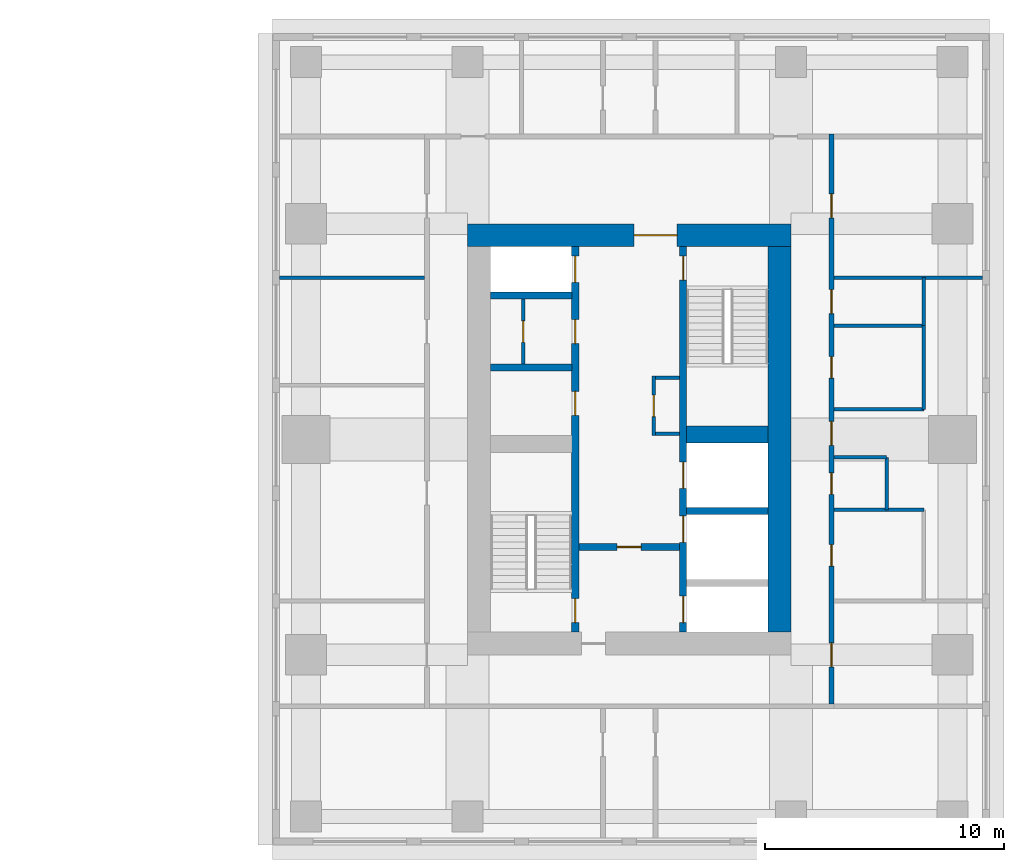
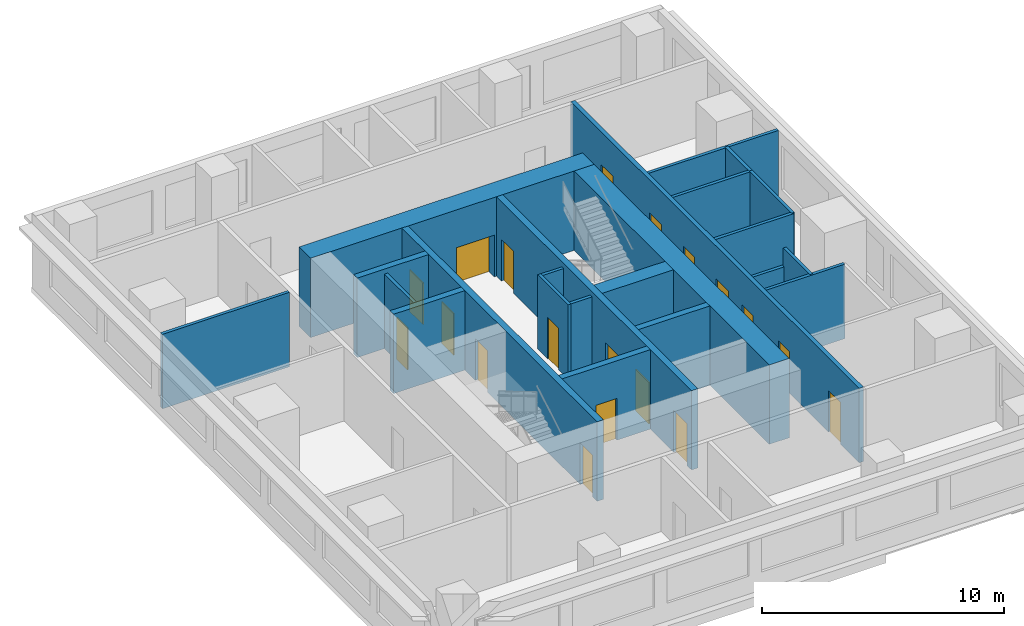
# One storey, part 7 of 11: 23 walls, 19 doors, 19 openings.
"""IFC4 building model written with IfcOpenShell, lengths in metres."""

from ifc_helpers import new_model, si_unit, direction, frame, frame_2d, origin, place, context, subcontext, project, spatial, rectangle, extrude, material, layer, layer_set, type_object, element, fill, save


model = new_model("IFC4")

# Units and contexts
model_context = context("Model", 3, precision=1e-05, world=origin(), true_north=direction((0.0, 1.0)))
body_context = subcontext(model_context, "Body", "Model", "MODEL_VIEW")
ifc_project = project(units=[si_unit("LENGTHUNIT", "METRE"), si_unit("AREAUNIT", "SQUARE_METRE"), si_unit("VOLUMEUNIT", "CUBIC_METRE"), si_unit("PLANEANGLEUNIT", "RADIAN"), si_unit("MASSUNIT", "GRAM", prefix="KILO")], contexts=[model_context])

# Site, building, storey
site_placement = place(None, origin())
site = spatial("IfcSite", under=ifc_project, at=site_placement, CompositionType="ELEMENT")
building_placement = place(site_placement, origin())
building = spatial("IfcBuilding", under=site, at=building_placement, Name="Namib Vertical Campus", CompositionType="ELEMENT")
storey_placement = place(building_placement, frame((0.0, 0.0, 225.0)))
storey = spatial("IfcBuildingStorey", under=building, at=storey_placement, Name="L53", CompositionType="ELEMENT", Elevation=225.0)

# Wall, openings, doors
ifc_material_1 = material(Name="Concrete C60/75", Category="concrete")
ifc_layer_1 = layer(ifc_material_1, 0.300048828125)
ifc_layer_set_1 = layer_set([ifc_layer_1], Name="Concrete C60/75")
wall_type_1 = type_object("IfcWallType", Name="Core inner wall 300", PredefinedType="SHEAR", material=ifc_layer_set_1)
wall_1_placement = place(storey_placement, frame((78.75, 12.199951171875, 0.0), z_axis=(0.0, 0.0, 1.0), x_axis=(0.0, 1.0, 0.0)))
wall_1 = element("IfcWall", 1, at=wall_1_placement, inside=storey, type_object=wall_type_1, Name="Core inner wall B L53 W1", PredefinedType="SHEAR", context=body_context, shape_type="SweptSolid", body=[
    extrude(rectangle(XDim=16.10009765625, YDim=0.300048828125, at=frame_2d((8.050048828125, 0.0))), origin(), (0.0, 0.0, 1.0), 4.0),
])
opening_1_placement = place(wall_1_placement, frame((0.39990234375, 0.0, 0.0)))
opening_1 = element("IfcOpeningElement", 2, at=opening_1_placement, cuts=wall_1, Name="Opening FD1", PredefinedType="OPENING", context=body_context, shape_type="SweptSolid", body=[
    extrude(rectangle(XDim=1.0, YDim=2.10009765625, at=frame_2d((0.5, 1.050048828125))), frame((0.0, 0.159912109375, 0.0), z_axis=(0.0, -1.0, 0.0), x_axis=(1.0, 0.0, 0.0)), (0.0, 0.0, 1.0), 0.320068359375),
])
opening_2_placement = place(wall_1_placement, frame((14.60009765625, 0.0, 0.0)))
opening_2 = element("IfcOpeningElement", 3, at=opening_2_placement, cuts=wall_1, Name="Opening LD1", PredefinedType="OPENING", context=body_context, shape_type="SweptSolid", body=[
    extrude(rectangle(XDim=1.10009765625, YDim=2.10009765625, at=frame_2d((0.550048828125, 1.050048828125))), frame((0.0, 0.159912109375, 0.0), z_axis=(0.0, -1.0, 0.0), x_axis=(1.0, 0.0, 0.0)), (0.0, 0.0, 1.0), 0.320068359375),
])
opening_3_placement = place(wall_1_placement, frame((9.050048828125, 0.0, 0.0)))
opening_3 = element("IfcOpeningElement", 4, at=opening_3_placement, cuts=wall_1, Name="Opening D1", PredefinedType="OPENING", context=body_context, shape_type="SweptSolid", body=[
    extrude(rectangle(XDim=1.0, YDim=2.10009765625, at=frame_2d((0.5, 1.050048828125))), frame((0.0, 0.159912109375, 0.0), z_axis=(0.0, -1.0, 0.0), x_axis=(1.0, 0.0, 0.0)), (0.0, 0.0, 1.0), 0.320068359375),
])
opening_4_placement = place(wall_1_placement, frame((12.050048828125, 0.0, 0.0)))
opening_4 = element("IfcOpeningElement", 5, at=opening_4_placement, cuts=wall_1, Name="Opening D1", PredefinedType="OPENING", context=body_context, shape_type="SweptSolid", body=[
    extrude(rectangle(XDim=1.0, YDim=2.10009765625, at=frame_2d((0.5, 1.050048828125))), frame((0.0, 0.159912109375, 0.0), z_axis=(0.0, -1.0, 0.0), x_axis=(1.0, 0.0, 0.0)), (0.0, 0.0, 1.0), 0.320068359375),
])
ifc_material_2 = material(Name="Timber door leaf", Category="wood")
door_type_1 = type_object("IfcDoorType", Name="Door single 1000x2100", OperationType="SINGLE_SWING_LEFT", PredefinedType="DOOR", material=ifc_material_2)
door_1_placement = place(opening_3_placement, origin())
door_1 = element("IfcDoor", 6, at=door_1_placement, inside=storey, type_object=door_type_1, Name="Door D1 Staff pantry B L53 P1", OperationType="SINGLE_SWING_LEFT", OverallHeight=2.10009765625, OverallWidth=1.0, PredefinedType="DOOR", context=body_context, shape_type="SweptSolid", body=[
    extrude(rectangle(XDim=1.0, YDim=2.10009765625, at=frame_2d((0.5, 1.050048828125))), frame((0.0, 0.02490234375, 0.0), z_axis=(0.0, -1.0, 0.0), x_axis=(1.0, 0.0, 0.0)), (0.0, 0.0, 1.0), 0.050048828125),
])
fill(opening_3, door_1)
door_2_placement = place(opening_4_placement, origin())
door_2 = element("IfcDoor", 7, at=door_2_placement, inside=storey, type_object=door_type_1, Name="Door D1 Records store B L53 P2", OperationType="SINGLE_SWING_LEFT", OverallHeight=2.10009765625, OverallWidth=1.0, PredefinedType="DOOR", context=body_context, shape_type="SweptSolid", body=[
    extrude(rectangle(XDim=1.0, YDim=2.10009765625, at=frame_2d((0.5, 1.050048828125))), frame((0.0, 0.02490234375, 0.0), z_axis=(0.0, -1.0, 0.0), x_axis=(1.0, 0.0, 0.0)), (0.0, 0.0, 1.0), 0.050048828125),
])
fill(opening_4, door_2)
ifc_material_3 = material(Name="Steel fire door", Category="steel")
door_type_2 = type_object("IfcDoorType", Name="Fire door 1000x2100", OperationType="SINGLE_SWING_RIGHT", PredefinedType="DOOR", material=ifc_material_3)
door_3_placement = place(opening_1_placement, origin())
door_3 = element("IfcDoor", 8, at=door_3_placement, inside=storey, type_object=door_type_2, Name="Stair door FD1 B L53 S1", OperationType="SINGLE_SWING_LEFT", OverallHeight=2.10009765625, OverallWidth=1.0, PredefinedType="DOOR", context=body_context, shape_type="SweptSolid", body=[
    extrude(rectangle(XDim=1.0, YDim=2.10009765625, at=frame_2d((0.5, 1.050048828125))), frame((0.0, 0.02490234375, 0.0), z_axis=(0.0, -1.0, 0.0), x_axis=(1.0, 0.0, 0.0)), (0.0, 0.0, 1.0), 0.050048828125),
])
fill(opening_1, door_3)
ifc_material_4 = material(Name="Stainless steel lift door", Category="steel")
door_type_3 = type_object("IfcDoorType", Name="Lift landing door 1100x2100", OperationType="DOUBLE_DOOR_SLIDING", PredefinedType="DOOR", material=ifc_material_4)
door_4_placement = place(opening_2_placement, origin())
door_4 = element("IfcDoor", 9, at=door_4_placement, inside=storey, type_object=door_type_3, Name="Lift landing door LD1 B-P3 L53", OperationType="DOUBLE_DOOR_SLIDING", OverallHeight=2.10009765625, OverallWidth=1.10009765625, PredefinedType="DOOR", context=body_context, shape_type="SweptSolid", body=[
    extrude(rectangle(XDim=1.10009765625, YDim=2.10009765625, at=frame_2d((0.550048828125, 1.050048828125))), frame((0.0, 0.02490234375, 0.0), z_axis=(0.0, -1.0, 0.0), x_axis=(1.0, 0.0, 0.0)), (0.0, 0.0, 1.0), 0.050048828125),
])
fill(opening_2, door_4)

wall_2_placement = place(storey_placement, frame((83.25, 12.199951171875, 0.0), z_axis=(0.0, 0.0, 1.0), x_axis=(0.0, 1.0, 0.0)))
wall_2 = element("IfcWall", 10, at=wall_2_placement, inside=storey, type_object=wall_type_1, Name="Core inner wall B L53 W2", PredefinedType="SHEAR", context=body_context, shape_type="SweptSolid", body=[
    extrude(rectangle(XDim=16.10009765625, YDim=0.300048828125, at=frame_2d((8.050048828125, 0.0))), origin(), (0.0, 0.0, 1.0), 4.0),
])
opening_5_placement = place(wall_2_placement, frame((14.699951171875, 0.0, 0.0)))
opening_5 = element("IfcOpeningElement", 11, at=opening_5_placement, cuts=wall_2, Name="Opening FD1", PredefinedType="OPENING", context=body_context, shape_type="SweptSolid", body=[
    extrude(rectangle(XDim=1.0, YDim=2.10009765625, at=frame_2d((0.5, 1.050048828125))), frame((0.0, 0.159912109375, 0.0), z_axis=(0.0, -1.0, 0.0), x_axis=(1.0, 0.0, 0.0)), (0.0, 0.0, 1.0), 0.320068359375),
])
opening_6_placement = place(wall_2_placement, frame((0.39990234375, 0.0, 0.0)))
opening_6 = element("IfcOpeningElement", 12, at=opening_6_placement, cuts=wall_2, Name="Opening LD1", PredefinedType="OPENING", context=body_context, shape_type="SweptSolid", body=[
    extrude(rectangle(XDim=1.10009765625, YDim=2.10009765625, at=frame_2d((0.550048828125, 1.050048828125))), frame((0.0, 0.159912109375, 0.0), z_axis=(0.0, -1.0, 0.0), x_axis=(1.0, 0.0, 0.0)), (0.0, 0.0, 1.0), 0.320068359375),
])
opening_7_placement = place(wall_2_placement, frame((3.75, 0.0, 0.0)))
opening_7 = element("IfcOpeningElement", 13, at=opening_7_placement, cuts=wall_2, Name="Opening LD1", PredefinedType="OPENING", context=body_context, shape_type="SweptSolid", body=[
    extrude(rectangle(XDim=1.10009765625, YDim=2.10009765625, at=frame_2d((0.550048828125, 1.050048828125))), frame((0.0, 0.159912109375, 0.0), z_axis=(0.0, -1.0, 0.0), x_axis=(1.0, 0.0, 0.0)), (0.0, 0.0, 1.0), 0.320068359375),
])
opening_8_placement = place(wall_2_placement, frame((6.0, 0.0, 0.0)))
opening_8 = element("IfcOpeningElement", 14, at=opening_8_placement, cuts=wall_2, Name="Opening LD1", PredefinedType="OPENING", context=body_context, shape_type="SweptSolid", body=[
    extrude(rectangle(XDim=1.10009765625, YDim=2.10009765625, at=frame_2d((0.550048828125, 1.050048828125))), frame((0.0, 0.159912109375, 0.0), z_axis=(0.0, -1.0, 0.0), x_axis=(1.0, 0.0, 0.0)), (0.0, 0.0, 1.0), 0.320068359375),
])
door_5_placement = place(opening_5_placement, frame((1.0, 0.0, 0.0), z_axis=(0.0, 0.0, 1.0), x_axis=(-1.0, 0.0, 0.0)))
door_5 = element("IfcDoor", 15, at=door_5_placement, inside=storey, type_object=door_type_2, Name="Stair door FD1 B L53 S2", OperationType="SINGLE_SWING_LEFT", OverallHeight=2.10009765625, OverallWidth=1.0, PredefinedType="DOOR", context=body_context, shape_type="SweptSolid", body=[
    extrude(rectangle(XDim=1.0, YDim=2.10009765625, at=frame_2d((0.5, 1.050048828125))), frame((0.0, 0.02490234375, 0.0), z_axis=(0.0, -1.0, 0.0), x_axis=(1.0, 0.0, 0.0)), (0.0, 0.0, 1.0), 0.050048828125),
])
fill(opening_5, door_5)
door_6_placement = place(opening_6_placement, origin())
door_6 = element("IfcDoor", 16, at=door_6_placement, inside=storey, type_object=door_type_3, Name="Lift landing door LD1 B-FL1 L53", OperationType="DOUBLE_DOOR_SLIDING", OverallHeight=2.10009765625, OverallWidth=1.10009765625, PredefinedType="DOOR", context=body_context, shape_type="SweptSolid", body=[
    extrude(rectangle(XDim=1.10009765625, YDim=2.10009765625, at=frame_2d((0.550048828125, 1.050048828125))), frame((0.0, 0.02490234375, 0.0), z_axis=(0.0, -1.0, 0.0), x_axis=(1.0, 0.0, 0.0)), (0.0, 0.0, 1.0), 0.050048828125),
])
fill(opening_6, door_6)
door_7_placement = place(opening_7_placement, origin())
door_7 = element("IfcDoor", 17, at=door_7_placement, inside=storey, type_object=door_type_3, Name="Lift landing door LD1 B-P4 L53", OperationType="DOUBLE_DOOR_SLIDING", OverallHeight=2.10009765625, OverallWidth=1.10009765625, PredefinedType="DOOR", context=body_context, shape_type="SweptSolid", body=[
    extrude(rectangle(XDim=1.10009765625, YDim=2.10009765625, at=frame_2d((0.550048828125, 1.050048828125))), frame((0.0, 0.02490234375, 0.0), z_axis=(0.0, -1.0, 0.0), x_axis=(1.0, 0.0, 0.0)), (0.0, 0.0, 1.0), 0.050048828125),
])
fill(opening_7, door_7)
door_8_placement = place(opening_8_placement, origin())
door_8 = element("IfcDoor", 18, at=door_8_placement, inside=storey, type_object=door_type_3, Name="Lift landing door LD1 B-P5 L53", OperationType="DOUBLE_DOOR_SLIDING", OverallHeight=2.10009765625, OverallWidth=1.10009765625, PredefinedType="DOOR", context=body_context, shape_type="SweptSolid", body=[
    extrude(rectangle(XDim=1.10009765625, YDim=2.10009765625, at=frame_2d((0.550048828125, 1.050048828125))), frame((0.0, 0.02490234375, 0.0), z_axis=(0.0, -1.0, 0.0), x_axis=(1.0, 0.0, 0.0)), (0.0, 0.0, 1.0), 0.050048828125),
])
fill(opening_8, door_8)

# Wall, opening, door
wall_3_placement = place(storey_placement, frame((78.89990234375, 15.75, 0.0), z_axis=(0.0, 0.0, 1.0), x_axis=(1.0, 0.0, 0.0)))
wall_3 = element("IfcWall", 19, at=wall_3_placement, inside=storey, type_object=wall_type_1, Name="Core inner wall B L53 W4", PredefinedType="SHEAR", context=body_context, shape_type="SweptSolid", body=[
    extrude(rectangle(XDim=4.2001953125, YDim=0.300048828125, at=frame_2d((2.10009765625, 0.0))), origin(), (0.0, 0.0, 1.0), 4.0),
])
opening_9_placement = place(wall_3_placement, frame((1.60009765625, 0.0, 0.0)))
opening_9 = element("IfcOpeningElement", 20, at=opening_9_placement, cuts=wall_3, Name="Opening FD5", PredefinedType="OPENING", context=body_context, shape_type="SweptSolid", body=[
    extrude(rectangle(XDim=1.0, YDim=2.10009765625, at=frame_2d((0.5, 1.050048828125))), frame((0.0, 0.159912109375, 0.0), z_axis=(0.0, -1.0, 0.0), x_axis=(1.0, 0.0, 0.0)), (0.0, 0.0, 1.0), 0.320068359375),
])
ifc_material_5 = material(Name="Steel fire door", Category="steel")
door_type_4 = type_object("IfcDoorType", Name="Fire door 1000x2100 120 min", OperationType="SINGLE_SWING_RIGHT", PredefinedType="DOOR", material=ifc_material_5)
door_9_placement = place(opening_9_placement, frame((1.0, 0.0, 0.0), z_axis=(0.0, 0.0, 1.0), x_axis=(-1.0, 0.0, 0.0)))
door_9 = element("IfcDoor", 21, at=door_9_placement, inside=storey, type_object=door_type_4, Name="Lobby door FD5 B L53", OperationType="SINGLE_SWING_RIGHT", OverallHeight=2.10009765625, OverallWidth=1.0, PredefinedType="DOOR", context=body_context, shape_type="SweptSolid", body=[
    extrude(rectangle(XDim=1.0, YDim=2.10009765625, at=frame_2d((0.5, 1.050048828125))), frame((0.0, 0.02490234375, 0.0), z_axis=(0.0, -1.0, 0.0), x_axis=(1.0, 0.0, 0.0)), (0.0, 0.0, 1.0), 0.050048828125),
])
fill(opening_9, door_9)

# Walls
for number, where, z_axis, x_axis, name in (
    (22, (83.39990234375, 17.25, 0.0), (0.0, 0.0, 1.0), (1.0, 0.0, 0.0), "Core inner wall B L53 W6"),
    (23, (75.199951171875, 23.25, 0.0), (0.0, 0.0, 1.0), (1.0, 0.0, 0.0), "Core inner wall B L53 W8"),
    (24, (75.199951171875, 26.25, 0.0), (0.0, 0.0, 1.0), (1.0, 0.0, 0.0), "Core inner wall B L53 W9"),
):
    element("IfcWall", number, at=place(storey_placement, frame(where, z_axis=z_axis, x_axis=x_axis)), inside=storey, type_object=wall_type_1, Name=name, PredefinedType="SHEAR", context=body_context, shape_type="SweptSolid", body=[
        extrude(rectangle(XDim=3.400146484375, YDim=0.300048828125, at=frame_2d((1.7001953125, 0.0))), origin(), (0.0, 0.0, 1.0), 4.0),
    ])
ifc_material_6 = material(Name="Concrete C60/75", Category="concrete")
ifc_layer_2 = layer(ifc_material_6, 0.699951171875)
ifc_layer_set_2 = layer_set([ifc_layer_2], Name="Concrete C60/75")
wall_type_2 = type_object("IfcWallType", Name="Core shear wall 700", PredefinedType="SHEAR", material=ifc_layer_set_2)
wall_4_placement = place(storey_placement, frame((83.39990234375, 20.449951171875, 0.0), z_axis=(0.0, 0.0, 1.0), x_axis=(1.0, 0.0, 0.0)))
element("IfcWall", 25, at=wall_4_placement, inside=storey, type_object=wall_type_2, Name="Core shear wall B L53 W7", PredefinedType="SHEAR", context=body_context, shape_type="SweptSolid", body=[
    extrude(rectangle(XDim=3.400146484375, YDim=0.699951171875, at=frame_2d((1.7001953125, 0.0))), origin(), (0.0, 0.0, 1.0), 4.0),
])
ifc_material_7 = material(Name="Concrete C60/75", Category="concrete")
ifc_layer_3 = layer(ifc_material_7, 0.949951171875)
ifc_layer_set_3 = layer_set([ifc_layer_3], Name="Concrete C60/75")
wall_type_3 = type_object("IfcWallType", Name="Core wall 950", PredefinedType="SHEAR", material=ifc_layer_set_3)
wall_5_placement = place(storey_placement, frame((87.27490234375, 12.199951171875, 0.0), z_axis=(0.0, 0.0, 1.0), x_axis=(0.0, 1.0, 0.0)))
element("IfcWall", 26, at=wall_5_placement, inside=storey, type_object=wall_type_3, Name="Core wall B L53 2", PredefinedType="SHEAR", context=body_context, shape_type="SweptSolid", body=[
    extrude(rectangle(XDim=16.10009765625, YDim=0.949951171875, at=frame_2d((8.050048828125, 0.0))), origin(), (0.0, 0.0, 1.0), 4.0),
])

# Wall, opening, door
wall_6_placement = place(storey_placement, frame((87.75, 28.77490234375, 0.0), z_axis=(0.0, 0.0, 1.0), x_axis=(-1.0, 0.0, 0.0)))
wall_6 = element("IfcWall", 27, at=wall_6_placement, inside=storey, type_object=wall_type_3, Name="Core wall B L53 3", PredefinedType="SHEAR", context=body_context, shape_type="SweptSolid", body=[
    extrude(rectangle(XDim=13.5, YDim=0.949951171875, at=frame_2d((6.75, 0.0))), origin(), (0.0, 0.0, 1.0), 4.0),
])
opening_10_placement = place(wall_6_placement, frame((4.75, 0.0, 0.0)))
opening_10 = element("IfcOpeningElement", 28, at=opening_10_placement, cuts=wall_6, Name="Opening FD2", PredefinedType="OPENING", context=body_context, shape_type="SweptSolid", body=[
    extrude(rectangle(XDim=1.800048828125, YDim=2.10009765625, at=frame_2d((0.89990234375, 1.050048828125))), frame((0.0, 0.48486328125, 0.0), z_axis=(0.0, -1.0, 0.0), x_axis=(1.0, 0.0, 0.0)), (0.0, 0.0, 1.0), 0.969970703125),
])
ifc_material_8 = material(Name="Steel fire door", Category="steel")
door_type_5 = type_object("IfcDoorType", Name="Fire door double 1800x2100", OperationType="DOUBLE_DOOR_SINGLE_SWING", PredefinedType="DOOR", material=ifc_material_8)
door_10_placement = place(opening_10_placement, origin())
door_10 = element("IfcDoor", 29, at=door_10_placement, inside=storey, type_object=door_type_5, Name="Lift lobby door FD2 B L53", OperationType="DOUBLE_DOOR_SINGLE_SWING", OverallHeight=2.10009765625, OverallWidth=1.800048828125, PredefinedType="DOOR", context=body_context, shape_type="SweptSolid", body=[
    extrude(rectangle(XDim=1.800048828125, YDim=2.10009765625, at=frame_2d((0.89990234375, 1.050048828125))), frame((0.0, 0.02490234375, 0.0), z_axis=(0.0, -1.0, 0.0), x_axis=(1.0, 0.0, 0.0)), (0.0, 0.0, 1.0), 0.050048828125),
])
fill(opening_10, door_10)

# Wall, openings, doors
ifc_material_9 = material(Name="Concrete masonry", Category="masonry")
ifc_layer_4 = layer(ifc_material_9, 0.199951171875)
ifc_layer_set_4 = layer_set([ifc_layer_4], Name="Corridor wall 200")
wall_type_4 = type_object("IfcWallType", Name="Corridor wall 200", PredefinedType="SOLIDWALL", material=ifc_layer_set_4)
wall_7_placement = place(storey_placement, frame((89.449951171875, 9.199951171875, 0.0), z_axis=(0.0, 0.0, 1.0), x_axis=(0.0, 1.0, 0.0)))
wall_7 = element("IfcWall", 30, at=wall_7_placement, inside=storey, type_object=wall_type_4, Name="Corridor wall B L53 CE", PredefinedType="SOLIDWALL", context=body_context, shape_type="SweptSolid", body=[
    extrude(rectangle(XDim=23.800048828125, YDim=0.199951171875, at=frame_2d((11.89990234375, 0.0))), origin(), (0.0, 0.0, 1.0), 3.75),
])
opening_11_placement = place(wall_7_placement, frame((1.550048828125, 0.0, 0.0)))
opening_11 = element("IfcOpeningElement", 31, at=opening_11_placement, cuts=wall_7, Name="Opening CD1", PredefinedType="OPENING", context=body_context, shape_type="SweptSolid", body=[
    extrude(rectangle(XDim=1.0, YDim=2.10009765625, at=frame_2d((0.5, 1.050048828125))), frame((0.0, 0.10986328125, 0.0), z_axis=(0.0, -1.0, 0.0), x_axis=(1.0, 0.0, 0.0)), (0.0, 0.0, 1.0), 0.219970703125),
])
opening_12_placement = place(wall_7_placement, frame((5.75, 0.0, 0.0)))
opening_12 = element("IfcOpeningElement", 32, at=opening_12_placement, cuts=wall_7, Name="Opening CD3", PredefinedType="OPENING", context=body_context, shape_type="SweptSolid", body=[
    extrude(rectangle(XDim=0.89990234375, YDim=2.10009765625, at=frame_2d((0.449951171875, 1.050048828125))), frame((0.0, 0.10986328125, 0.0), z_axis=(0.0, -1.0, 0.0), x_axis=(1.0, 0.0, 0.0)), (0.0, 0.0, 1.0), 0.219970703125),
])
opening_13_placement = place(wall_7_placement, frame((8.75, 0.0, 0.0)))
opening_13 = element("IfcOpeningElement", 33, at=opening_13_placement, cuts=wall_7, Name="Opening CD3", PredefinedType="OPENING", context=body_context, shape_type="SweptSolid", body=[
    extrude(rectangle(XDim=0.89990234375, YDim=2.10009765625, at=frame_2d((0.449951171875, 1.050048828125))), frame((0.0, 0.10986328125, 0.0), z_axis=(0.0, -1.0, 0.0), x_axis=(1.0, 0.0, 0.0)), (0.0, 0.0, 1.0), 0.219970703125),
])
opening_14_placement = place(wall_7_placement, frame((13.60009765625, 0.0, 0.0)))
opening_14 = element("IfcOpeningElement", 34, at=opening_14_placement, cuts=wall_7, Name="Opening CD3", PredefinedType="OPENING", context=body_context, shape_type="SweptSolid", body=[
    extrude(rectangle(XDim=0.89990234375, YDim=2.10009765625, at=frame_2d((0.449951171875, 1.050048828125))), frame((0.0, 0.10986328125, 0.0), z_axis=(0.0, -1.0, 0.0), x_axis=(1.0, 0.0, 0.0)), (0.0, 0.0, 1.0), 0.219970703125),
])
opening_15_placement = place(wall_7_placement, frame((16.300048828125, 0.0, 0.0)))
opening_15 = element("IfcOpeningElement", 35, at=opening_15_placement, cuts=wall_7, Name="Opening CD1", PredefinedType="OPENING", context=body_context, shape_type="SweptSolid", body=[
    extrude(rectangle(XDim=1.0, YDim=2.10009765625, at=frame_2d((0.5, 1.050048828125))), frame((0.0, 0.10986328125, 0.0), z_axis=(0.0, -1.0, 0.0), x_axis=(1.0, 0.0, 0.0)), (0.0, 0.0, 1.0), 0.219970703125),
])
opening_16_placement = place(wall_7_placement, frame((10.800048828125, 0.0, 0.0)))
opening_16 = element("IfcOpeningElement", 36, at=opening_16_placement, cuts=wall_7, Name="Opening CD1", PredefinedType="OPENING", context=body_context, shape_type="SweptSolid", body=[
    extrude(rectangle(XDim=1.0, YDim=2.10009765625, at=frame_2d((0.5, 1.050048828125))), frame((0.0, 0.10986328125, 0.0), z_axis=(0.0, -1.0, 0.0), x_axis=(1.0, 0.0, 0.0)), (0.0, 0.0, 1.0), 0.219970703125),
])
opening_17_placement = place(wall_7_placement, frame((20.300048828125, 0.0, 0.0)))
opening_17 = element("IfcOpeningElement", 37, at=opening_17_placement, cuts=wall_7, Name="Opening CD1", PredefinedType="OPENING", context=body_context, shape_type="SweptSolid", body=[
    extrude(rectangle(XDim=1.0, YDim=2.10009765625, at=frame_2d((0.5, 1.050048828125))), frame((0.0, 0.10986328125, 0.0), z_axis=(0.0, -1.0, 0.0), x_axis=(1.0, 0.0, 0.0)), (0.0, 0.0, 1.0), 0.219970703125),
])
ifc_material_10 = material(Name="Timber fire door leaf", Category="wood")
door_type_6 = type_object("IfcDoorType", Name="Corridor door 1000x2100 20 min", OperationType="SINGLE_SWING_LEFT", PredefinedType="DOOR", material=ifc_material_10)
door_11_placement = place(opening_11_placement, frame((1.0, 0.0, 0.0), z_axis=(0.0, 0.0, 1.0), x_axis=(-1.0, 0.0, 0.0)))
door_11 = element("IfcDoor", 38, at=door_11_placement, inside=storey, type_object=door_type_6, Name="Door CD1 B53-03", OperationType="SINGLE_SWING_RIGHT", OverallHeight=2.10009765625, OverallWidth=1.0, PredefinedType="DOOR", context=body_context, shape_type="SweptSolid", body=[
    extrude(rectangle(XDim=1.0, YDim=2.10009765625, at=frame_2d((0.5, 1.050048828125))), frame((0.0, 0.02490234375, 0.0), z_axis=(0.0, -1.0, 0.0), x_axis=(1.0, 0.0, 0.0)), (0.0, 0.0, 1.0), 0.050048828125),
])
fill(opening_11, door_11)
door_12_placement = place(opening_15_placement, frame((1.0, 0.0, 0.0), z_axis=(0.0, 0.0, 1.0), x_axis=(-1.0, 0.0, 0.0)))
door_12 = element("IfcDoor", 39, at=door_12_placement, inside=storey, type_object=door_type_6, Name="Door CD1 B53-07", OperationType="SINGLE_SWING_RIGHT", OverallHeight=2.10009765625, OverallWidth=1.0, PredefinedType="DOOR", context=body_context, shape_type="SweptSolid", body=[
    extrude(rectangle(XDim=1.0, YDim=2.10009765625, at=frame_2d((0.5, 1.050048828125))), frame((0.0, 0.02490234375, 0.0), z_axis=(0.0, -1.0, 0.0), x_axis=(1.0, 0.0, 0.0)), (0.0, 0.0, 1.0), 0.050048828125),
])
fill(opening_15, door_12)
door_13_placement = place(opening_16_placement, frame((1.0, 0.0, 0.0), z_axis=(0.0, 0.0, 1.0), x_axis=(-1.0, 0.0, 0.0)))
door_13 = element("IfcDoor", 40, at=door_13_placement, inside=storey, type_object=door_type_6, Name="Door CD1 B53-08", OperationType="SINGLE_SWING_RIGHT", OverallHeight=2.10009765625, OverallWidth=1.0, PredefinedType="DOOR", context=body_context, shape_type="SweptSolid", body=[
    extrude(rectangle(XDim=1.0, YDim=2.10009765625, at=frame_2d((0.5, 1.050048828125))), frame((0.0, 0.02490234375, 0.0), z_axis=(0.0, -1.0, 0.0), x_axis=(1.0, 0.0, 0.0)), (0.0, 0.0, 1.0), 0.050048828125),
])
fill(opening_16, door_13)
door_14_placement = place(opening_17_placement, frame((1.0, 0.0, 0.0), z_axis=(0.0, 0.0, 1.0), x_axis=(-1.0, 0.0, 0.0)))
door_14 = element("IfcDoor", 41, at=door_14_placement, inside=storey, type_object=door_type_6, Name="Door CD1 B53-09", OperationType="SINGLE_SWING_RIGHT", OverallHeight=2.10009765625, OverallWidth=1.0, PredefinedType="DOOR", context=body_context, shape_type="SweptSolid", body=[
    extrude(rectangle(XDim=1.0, YDim=2.10009765625, at=frame_2d((0.5, 1.050048828125))), frame((0.0, 0.02490234375, 0.0), z_axis=(0.0, -1.0, 0.0), x_axis=(1.0, 0.0, 0.0)), (0.0, 0.0, 1.0), 0.050048828125),
])
fill(opening_17, door_14)
ifc_material_11 = material(Name="Timber fire door leaf", Category="wood")
door_type_7 = type_object("IfcDoorType", Name="Corridor toilet door 900x2100 20 min", OperationType="SINGLE_SWING_LEFT", PredefinedType="DOOR", material=ifc_material_11)
door_15_placement = place(opening_12_placement, frame((0.89990234375, 0.0, 0.0), z_axis=(0.0, 0.0, 1.0), x_axis=(-1.0, 0.0, 0.0)))
door_15 = element("IfcDoor", 42, at=door_15_placement, inside=storey, type_object=door_type_7, Name="Door CD3 B53-04", OperationType="SINGLE_SWING_RIGHT", OverallHeight=2.10009765625, OverallWidth=0.89990234375, PredefinedType="DOOR", context=body_context, shape_type="SweptSolid", body=[
    extrude(rectangle(XDim=0.89990234375, YDim=2.10009765625, at=frame_2d((0.449951171875, 1.050048828125))), frame((0.0, 0.02490234375, 0.0), z_axis=(0.0, -1.0, 0.0), x_axis=(1.0, 0.0, 0.0)), (0.0, 0.0, 1.0), 0.050048828125),
])
fill(opening_12, door_15)
door_16_placement = place(opening_13_placement, frame((0.89990234375, 0.0, 0.0), z_axis=(0.0, 0.0, 1.0), x_axis=(-1.0, 0.0, 0.0)))
door_16 = element("IfcDoor", 43, at=door_16_placement, inside=storey, type_object=door_type_7, Name="Door CD3 B53-05", OperationType="SINGLE_SWING_RIGHT", OverallHeight=2.10009765625, OverallWidth=0.89990234375, PredefinedType="DOOR", context=body_context, shape_type="SweptSolid", body=[
    extrude(rectangle(XDim=0.89990234375, YDim=2.10009765625, at=frame_2d((0.449951171875, 1.050048828125))), frame((0.0, 0.02490234375, 0.0), z_axis=(0.0, -1.0, 0.0), x_axis=(1.0, 0.0, 0.0)), (0.0, 0.0, 1.0), 0.050048828125),
])
fill(opening_13, door_16)
door_17_placement = place(opening_14_placement, frame((0.89990234375, 0.0, 0.0), z_axis=(0.0, 0.0, 1.0), x_axis=(-1.0, 0.0, 0.0)))
door_17 = element("IfcDoor", 44, at=door_17_placement, inside=storey, type_object=door_type_7, Name="Door CD3 B53-06", OperationType="SINGLE_SWING_RIGHT", OverallHeight=2.10009765625, OverallWidth=0.89990234375, PredefinedType="DOOR", context=body_context, shape_type="SweptSolid", body=[
    extrude(rectangle(XDim=0.89990234375, YDim=2.10009765625, at=frame_2d((0.449951171875, 1.050048828125))), frame((0.0, 0.02490234375, 0.0), z_axis=(0.0, -1.0, 0.0), x_axis=(1.0, 0.0, 0.0)), (0.0, 0.0, 1.0), 0.050048828125),
])
fill(opening_14, door_17)

# Wall, opening, door
ifc_material_12 = material(Name="Gypsum board on steel studs", Category="steel")
ifc_layer_5 = layer(ifc_material_12, 0.14990234375)
ifc_layer_set_5 = layer_set([ifc_layer_5], Name="Gypsum board on steel studs")
wall_type_5 = type_object("IfcWallType", Name="Partition 150", PredefinedType="PARTITIONING", material=ifc_layer_set_5)
wall_8_placement = place(storey_placement, frame((82.02490234375, 20.39990234375, 0.0), z_axis=(0.0, 0.0, 1.0), x_axis=(0.0, 1.0, 0.0)))
wall_8 = element("IfcWall", 45, at=wall_8_placement, inside=storey, type_object=wall_type_5, Name="Partition B L53 Cleaners' store front", PredefinedType="PARTITIONING", context=body_context, shape_type="SweptSolid", body=[
    extrude(rectangle(XDim=2.5, YDim=0.14990234375, at=frame_2d((1.25, 0.0))), origin(), (0.0, 0.0, 1.0), 3.75),
])
opening_18_placement = place(wall_8_placement, frame((0.800048828125, 0.0, 0.0)))
opening_18 = element("IfcOpeningElement", 46, at=opening_18_placement, cuts=wall_8, Name="Opening D3", PredefinedType="OPENING", context=body_context, shape_type="SweptSolid", body=[
    extrude(rectangle(XDim=0.89990234375, YDim=2.10009765625, at=frame_2d((0.449951171875, 1.050048828125))), frame((0.0, 0.0849609375, 0.0), z_axis=(0.0, -1.0, 0.0), x_axis=(1.0, 0.0, 0.0)), (0.0, 0.0, 1.0), 0.169921875),
])
ifc_material_13 = material(Name="Timber door leaf", Category="wood")
door_type_8 = type_object("IfcDoorType", Name="Toilet door 900x2100", OperationType="SINGLE_SWING_LEFT", PredefinedType="DOOR", material=ifc_material_13)
door_18_placement = place(opening_18_placement, frame((0.89990234375, 0.0, 0.0), z_axis=(0.0, 0.0, 1.0), x_axis=(-1.0, 0.0, 0.0)))
door_18 = element("IfcDoor", 47, at=door_18_placement, inside=storey, type_object=door_type_8, Name="Door D3 Cleaners' store B L53", OperationType="SINGLE_SWING_RIGHT", OverallHeight=2.10009765625, OverallWidth=0.89990234375, PredefinedType="DOOR", context=body_context, shape_type="SweptSolid", body=[
    extrude(rectangle(XDim=0.89990234375, YDim=2.10009765625, at=frame_2d((0.449951171875, 1.050048828125))), frame((0.0, 0.02490234375, 0.0), z_axis=(0.0, -1.0, 0.0), x_axis=(1.0, 0.0, 0.0)), (0.0, 0.0, 1.0), 0.050048828125),
])
fill(opening_18, door_18)

# Walls
for number, where, z_axis, x_axis, name in (
    (48, (82.10009765625, 20.47509765625, 0.0), (0.0, 0.0, 1.0), (1.0, 0.0, 0.0), "Partition B L53 Cleaners' store end 1"),
    (49, (82.10009765625, 22.824951171875, 0.0), (0.0, 0.0, 1.0), (1.0, 0.0, 0.0), "Partition B L53 Cleaners' store end 2"),
):
    element("IfcWall", number, at=place(storey_placement, frame(where, z_axis=z_axis, x_axis=x_axis)), inside=storey, type_object=wall_type_5, Name=name, PredefinedType="PARTITIONING", context=body_context, shape_type="SweptSolid", body=[
        extrude(rectangle(XDim=1.0, YDim=0.14990234375, at=frame_2d((0.5, 0.0))), origin(), (0.0, 0.0, 1.0), 3.75),
    ])

# Wall, opening, door
wall_9_placement = place(storey_placement, frame((76.574951171875, 23.39990234375, 0.0), z_axis=(0.0, 0.0, 1.0), x_axis=(0.0, 1.0, 0.0)))
wall_9 = element("IfcWall", 50, at=wall_9_placement, inside=storey, type_object=wall_type_5, Name="Partition B L53 Records store P2 back", PredefinedType="PARTITIONING", context=body_context, shape_type="SweptSolid", body=[
    extrude(rectangle(XDim=2.7001953125, YDim=0.14990234375, at=frame_2d((1.35009765625, 0.0))), origin(), (0.0, 0.0, 1.0), 3.75),
])
opening_19_placement = place(wall_9_placement, frame((0.89990234375, 0.0, 0.0)))
opening_19 = element("IfcOpeningElement", 51, at=opening_19_placement, cuts=wall_9, Name="Opening D3", PredefinedType="OPENING", context=body_context, shape_type="SweptSolid", body=[
    extrude(rectangle(XDim=0.89990234375, YDim=2.10009765625, at=frame_2d((0.449951171875, 1.050048828125))), frame((0.0, 0.0849609375, 0.0), z_axis=(0.0, -1.0, 0.0), x_axis=(1.0, 0.0, 0.0)), (0.0, 0.0, 1.0), 0.169921875),
])
door_19_placement = place(opening_19_placement, origin())
door_19 = element("IfcDoor", 52, at=door_19_placement, inside=storey, type_object=door_type_8, Name="Door D3 Store B L53 P2", OperationType="SINGLE_SWING_LEFT", OverallHeight=2.10009765625, OverallWidth=0.89990234375, PredefinedType="DOOR", context=body_context, shape_type="SweptSolid", body=[
    extrude(rectangle(XDim=0.89990234375, YDim=2.10009765625, at=frame_2d((0.449951171875, 1.050048828125))), frame((0.0, 0.02490234375, 0.0), z_axis=(0.0, -1.0, 0.0), x_axis=(1.0, 0.0, 0.0)), (0.0, 0.0, 1.0), 0.050048828125),
])
fill(opening_19, door_19)

# Walls
wall_10_placement = place(storey_placement, frame((89.550048828125, 27.0, 0.0), z_axis=(0.0, 0.0, 1.0), x_axis=(1.0, 0.0, 0.0)))
element("IfcWall", 53, at=wall_10_placement, inside=storey, type_object=wall_type_5, Name="Partition B L53 PE2", PredefinedType="PARTITIONING", context=body_context, shape_type="SweptSolid", body=[
    extrude(rectangle(XDim=6.199951171875, YDim=0.14990234375, at=frame_2d((3.10009765625, 0.0))), origin(), (0.0, 0.0, 1.0), 3.75),
])
wall_11_placement = place(storey_placement, frame((66.39990234375, 27.0, 0.0), z_axis=(0.0, 0.0, 1.0), x_axis=(1.0, 0.0, 0.0)))
element("IfcWall", 54, at=wall_11_placement, inside=storey, type_object=wall_type_5, Name="Partition B L53 PW3", PredefinedType="PARTITIONING", context=body_context, shape_type="SweptSolid", body=[
    extrude(rectangle(XDim=6.050048828125, YDim=0.14990234375, at=frame_2d((3.02490234375, 0.0))), origin(), (0.0, 0.0, 1.0), 3.75),
])
wall_12_placement = place(storey_placement, frame((89.550048828125, 17.300048828125, 0.0), z_axis=(0.0, 0.0, 1.0), x_axis=(1.0, 0.0, 0.0)))
element("IfcWall", 55, at=wall_12_placement, inside=storey, type_object=wall_type_5, Name="Partition B L53 WR1", PredefinedType="PARTITIONING", context=body_context, shape_type="SweptSolid", body=[
    extrude(rectangle(XDim=3.75, YDim=0.14990234375, at=frame_2d((1.875, 0.0))), origin(), (0.0, 0.0, 1.0), 3.75),
])
wall_13_placement = place(storey_placement, frame((89.550048828125, 19.5, 0.0), z_axis=(0.0, 0.0, 1.0), x_axis=(1.0, 0.0, 0.0)))
element("IfcWall", 56, at=wall_13_placement, inside=storey, type_object=wall_type_5, Name="Partition B L53 WR2", PredefinedType="PARTITIONING", context=body_context, shape_type="SweptSolid", body=[
    extrude(rectangle(XDim=2.199951171875, YDim=0.14990234375, at=frame_2d((1.10009765625, 0.0))), origin(), (0.0, 0.0, 1.0), 2.85009765625),
])
for number, where, z_axis, x_axis, name in (
    (57, (89.550048828125, 21.5, 0.0), (0.0, 0.0, 1.0), (1.0, 0.0, 0.0), "Partition B L53 WR3"),
    (58, (89.550048828125, 25.0, 0.0), (0.0, 0.0, 1.0), (1.0, 0.0, 0.0), "Partition B L53 WR4"),
):
    element("IfcWall", number, at=place(storey_placement, frame(where, z_axis=z_axis, x_axis=x_axis)), inside=storey, type_object=wall_type_5, Name=name, PredefinedType="PARTITIONING", context=body_context, shape_type="SweptSolid", body=[
        extrude(rectangle(XDim=3.75, YDim=0.14990234375, at=frame_2d((1.875, 0.0))), origin(), (0.0, 0.0, 1.0), 3.75),
    ])
wall_14_placement = place(storey_placement, frame((91.75, 17.300048828125, 0.0), z_axis=(0.0, 0.0, 1.0), x_axis=(0.0, 1.0, 0.0)))
element("IfcWall", 59, at=wall_14_placement, inside=storey, type_object=wall_type_5, Name="Partition B L53 WB2", PredefinedType="PARTITIONING", context=body_context, shape_type="SweptSolid", body=[
    extrude(rectangle(XDim=2.199951171875, YDim=0.14990234375, at=frame_2d((1.10009765625, 0.0))), origin(), (0.0, 0.0, 1.0), 3.75),
])
wall_15_placement = place(storey_placement, frame((93.300048828125, 21.5, 0.0), z_axis=(0.0, 0.0, 1.0), x_axis=(0.0, 1.0, 0.0)))
element("IfcWall", 60, at=wall_15_placement, inside=storey, type_object=wall_type_5, Name="Partition B L53 WB3", PredefinedType="PARTITIONING", context=body_context, shape_type="SweptSolid", body=[
    extrude(rectangle(XDim=3.5, YDim=0.14990234375, at=frame_2d((1.75, 0.0))), origin(), (0.0, 0.0, 1.0), 3.75),
])
wall_16_placement = place(storey_placement, frame((93.300048828125, 25.0, 0.0), z_axis=(0.0, 0.0, 1.0), x_axis=(0.0, 1.0, 0.0)))
element("IfcWall", 61, at=wall_16_placement, inside=storey, type_object=wall_type_5, Name="Partition B L53 WB4", PredefinedType="PARTITIONING", context=body_context, shape_type="SweptSolid", body=[
    extrude(rectangle(XDim=2.0, YDim=0.14990234375, at=frame_2d((1.0, 0.0))), origin(), (0.0, 0.0, 1.0), 3.75),
])

save(model, "model.ifc")
